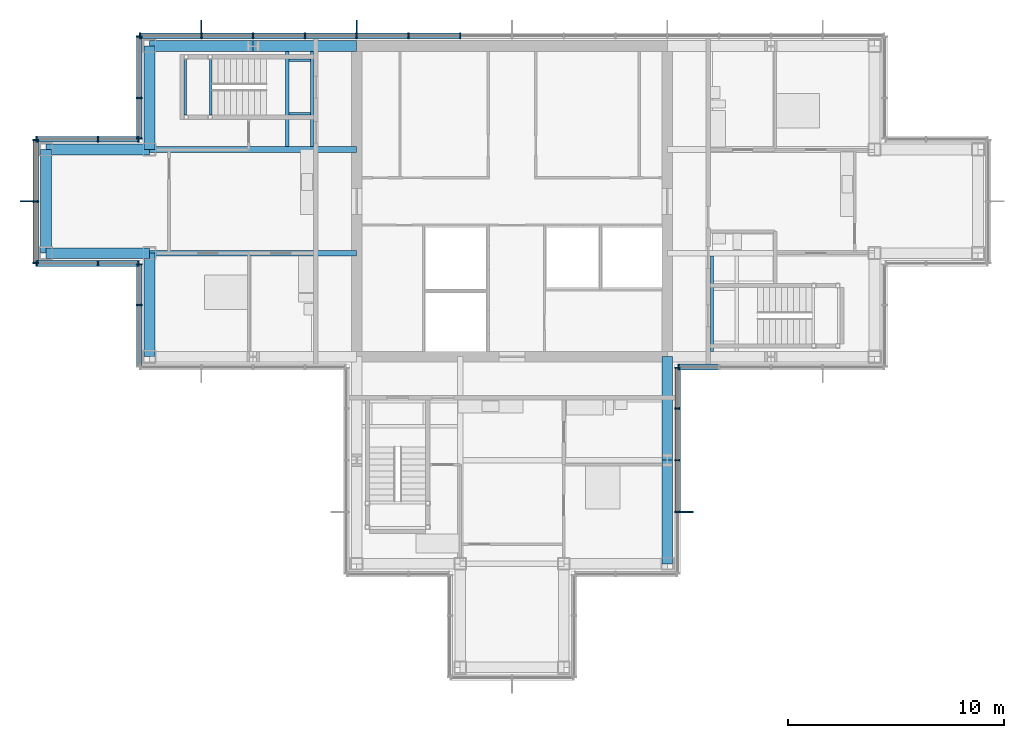
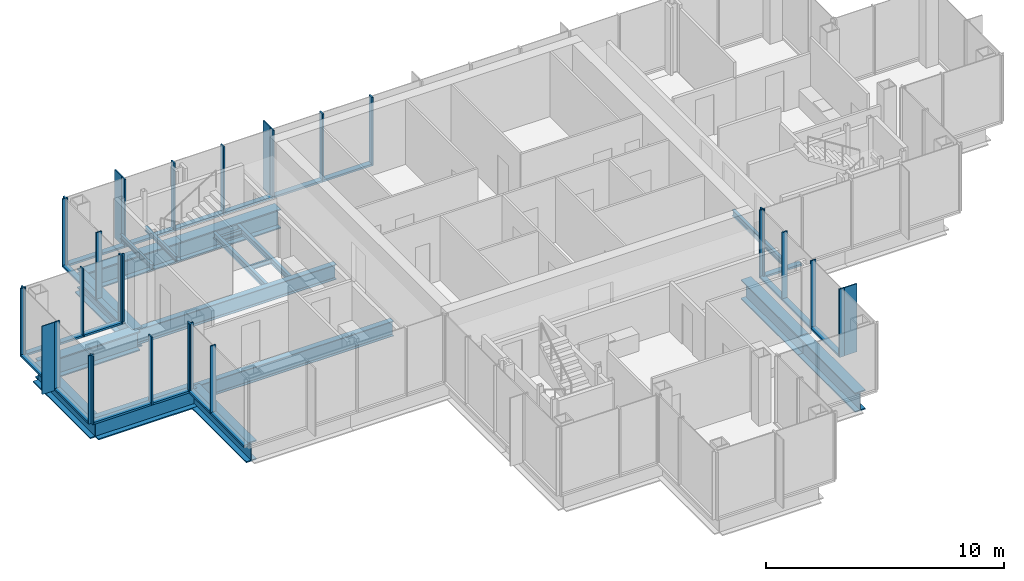
# One storey, part 6 of 15: 50 members, 18 beams, 8 elements without a shape of their own.
"""IFC4 building model written with IfcOpenShell, lengths in metres."""

from ifc_helpers import new_model, si_unit, direction, frame, origin, origin_2d, place, context, subcontext, project, spatial, rectangle, i_section, extrude, material, material_profile, profile_set, type_object, element, aggregate, save


model = new_model("IFC4")

# Units and contexts
model_context = context("Model", 3, precision=1e-05, world=origin(), true_north=direction((0.0, 1.0)))
body_context = subcontext(model_context, "Body", "Model", "MODEL_VIEW")
ifc_project = project(units=[si_unit("LENGTHUNIT", "METRE"), si_unit("AREAUNIT", "SQUARE_METRE"), si_unit("VOLUMEUNIT", "CUBIC_METRE"), si_unit("PLANEANGLEUNIT", "RADIAN"), si_unit("MASSUNIT", "GRAM", prefix="KILO")], contexts=[model_context])

# Site, building, storey
site_placement = place(None, origin())
site = spatial("IfcSite", under=ifc_project, at=site_placement, CompositionType="ELEMENT")
building_placement = place(site_placement, origin())
building = spatial("IfcBuilding", under=site, at=building_placement, Name="Kvirike Care Tower", CompositionType="ELEMENT")
storey_placement = place(building_placement, frame((0.0, 0.0, 198.0)))
storey = spatial("IfcBuildingStorey", under=building, at=storey_placement, Name="L54", CompositionType="ELEMENT", Elevation=198.0)

# Curtain wall, members
ifc_material_1 = material(Name="Anodised aluminium stick system", Category="aluminium")
curtain_wall_type = type_object("IfcCurtainWallType", Name="CW-D STICK CURTAIN WALL", PredefinedType="NOTDEFINED", material=ifc_material_1)
curtain_wall_1_placement = place(storey_placement, origin())
curtain_wall_1 = element("IfcCurtainWall", 1, at=curtain_wall_1_placement, inside=storey, type_object=curtain_wall_type, Name="Curtain wall L54 face 7", PredefinedType="NOTDEFINED")
ifc_material_2 = material(Name="Bronze anodised aluminium fin", Category="aluminium")
ifc_material_profile_1 = material_profile(ifc_material_2, rectangle(XDim=0.050048828125, YDim=0.60009765625, at=origin_2d()), Name="BRONZE FIN 600")
ifc_profile_set_1 = profile_set([ifc_material_profile_1], Name="Bronze anodised aluminium fin")
member_type_1 = type_object("IfcMemberType", Name="BRONZE FIN 600", PredefinedType="USERDEFINED", material=ifc_profile_set_1)
member_1_placement = place(storey_placement, frame((14.39990234375, 44.110107421875, 0.0), z_axis=(0.0, 0.0, 1.0), x_axis=(-1.0, 0.0, 0.0)))
member_1 = element("IfcMember", 2, at=member_1_placement, type_object=member_type_1, Name="Bronze fin L54 face 7.11", ObjectType="FIN", PredefinedType="USERDEFINED", context=body_context, shape_type="SweptSolid", body=[
    extrude(rectangle(XDim=0.050048828125, YDim=0.60009765625, at=origin_2d()), origin(), (0.0, 0.0, 1.0), 3.5),
])
member_2_placement = place(storey_placement, frame((7.199951171875, 44.110107421875, 0.0), z_axis=(0.0, 0.0, 1.0), x_axis=(-1.0, 0.0, 0.0)))
member_2 = element("IfcMember", 3, at=member_2_placement, type_object=member_type_1, Name="Bronze fin L54 face 7.14", ObjectType="FIN", PredefinedType="USERDEFINED", context=body_context, shape_type="SweptSolid", body=[
    extrude(rectangle(XDim=0.050048828125, YDim=0.60009765625, at=origin_2d()), origin(), (0.0, 0.0, 1.0), 3.5),
])

# Curtain wall, member
curtain_wall_2_placement = place(storey_placement, origin())
curtain_wall_2 = element("IfcCurtainWall", 4, at=curtain_wall_2_placement, inside=storey, type_object=curtain_wall_type, Name="Curtain wall L54 face 10", PredefinedType="NOTDEFINED")
member_3_placement = place(storey_placement, frame((-0.909912109375, 36.0, 0.0), z_axis=(0.0, 0.0, 1.0), x_axis=(0.0, -1.0, 0.0)))
member_3 = element("IfcMember", 5, at=member_3_placement, type_object=member_type_1, Name="Bronze fin L54 face 10.2", ObjectType="FIN", PredefinedType="USERDEFINED", context=body_context, shape_type="SweptSolid", body=[
    extrude(rectangle(XDim=0.050048828125, YDim=0.60009765625, at=origin_2d()), origin(), (0.0, 0.0, 1.0), 3.5),
])

curtain_wall_3_placement = place(storey_placement, origin())
curtain_wall_3 = element("IfcCurtainWall", 6, at=curtain_wall_3_placement, inside=storey, type_object=curtain_wall_type, Name="Curtain wall L54 face 20", PredefinedType="NOTDEFINED")
member_4_placement = place(storey_placement, frame((29.7099609375, 21.60009765625, 0.0), z_axis=(0.0, 0.0, 1.0), x_axis=(0.0, 1.0, 0.0)))
member_4 = element("IfcMember", 7, at=member_4_placement, type_object=member_type_1, Name="Bronze fin L54 face 20.2", ObjectType="FIN", PredefinedType="USERDEFINED", context=body_context, shape_type="SweptSolid", body=[
    extrude(rectangle(XDim=0.050048828125, YDim=0.60009765625, at=origin_2d()), origin(), (0.0, 0.0, 1.0), 3.5),
])

curtain_wall_4_placement = place(storey_placement, origin())
curtain_wall_4 = element("IfcCurtainWall", 8, at=curtain_wall_4_placement, inside=storey, type_object=curtain_wall_type, Name="Curtain wall L54 face 1", PredefinedType="NOTDEFINED")
ifc_material_3 = material(Name="Bronze anodised aluminium mullion", Category="aluminium")
ifc_material_profile_2 = material_profile(ifc_material_3, rectangle(XDim=0.06494140625, YDim=0.260009765625, at=origin_2d()), Name="CW-D MULLION 65x260")
ifc_profile_set_2 = profile_set([ifc_material_profile_2], Name="Bronze anodised aluminium mullion")
member_type_2 = type_object("IfcMemberType", Name="CW-D MULLION 65x260", PredefinedType="MULLION", material=ifc_profile_set_2)
member_5_placement = place(storey_placement, frame((29.3125, 28.320068359375, 0.0), z_axis=(0.0, 0.0, 1.0), x_axis=(1.0, 0.0, 0.0)))
member_5 = element("IfcMember", 9, at=member_5_placement, type_object=member_type_2, Name="CW-D mullion L54 face 1.1", PredefinedType="MULLION", context=body_context, shape_type="SweptSolid", body=[
    extrude(rectangle(XDim=0.06494140625, YDim=0.260009765625, at=origin_2d()), origin(), (0.0, 0.0, 1.0), 3.5),
])

# Member
member_6_placement = place(storey_placement, frame((19.199951171875, 43.679931640625, 0.0), z_axis=(0.0, 0.0, 1.0), x_axis=(-1.0, 0.0, 0.0)))
member_6 = element("IfcMember", 10, at=member_6_placement, type_object=member_type_2, Name="CW-D mullion L54 face 7.9", PredefinedType="MULLION", context=body_context, shape_type="SweptSolid", body=[
    extrude(rectangle(XDim=0.06494140625, YDim=0.260009765625, at=origin_2d()), origin(), (0.0, 0.0, 1.0), 3.5),
])

member_7_placement = place(storey_placement, frame((16.800048828125, 43.679931640625, 0.0), z_axis=(0.0, 0.0, 1.0), x_axis=(-1.0, 0.0, 0.0)))
member_7 = element("IfcMember", 11, at=member_7_placement, type_object=member_type_2, Name="CW-D mullion L54 face 7.10", PredefinedType="MULLION", context=body_context, shape_type="SweptSolid", body=[
    extrude(rectangle(XDim=0.06494140625, YDim=0.260009765625, at=origin_2d()), origin(), (0.0, 0.0, 1.0), 3.5),
])

member_8_placement = place(storey_placement, frame((14.39990234375, 43.679931640625, 0.0), z_axis=(0.0, 0.0, 1.0), x_axis=(-1.0, 0.0, 0.0)))
member_8 = element("IfcMember", 12, at=member_8_placement, type_object=member_type_2, Name="CW-D mullion L54 face 7.11", PredefinedType="MULLION", context=body_context, shape_type="SweptSolid", body=[
    extrude(rectangle(XDim=0.06494140625, YDim=0.260009765625, at=origin_2d()), origin(), (0.0, 0.0, 1.0), 3.5),
])

member_9_placement = place(storey_placement, frame((12.0, 43.679931640625, 0.0), z_axis=(0.0, 0.0, 1.0), x_axis=(-1.0, 0.0, 0.0)))
member_9 = element("IfcMember", 13, at=member_9_placement, type_object=member_type_2, Name="CW-D mullion L54 face 7.12", PredefinedType="MULLION", context=body_context, shape_type="SweptSolid", body=[
    extrude(rectangle(XDim=0.06494140625, YDim=0.260009765625, at=origin_2d()), origin(), (0.0, 0.0, 1.0), 3.5),
])

member_10_placement = place(storey_placement, frame((9.60009765625, 43.679931640625, 0.0), z_axis=(0.0, 0.0, 1.0), x_axis=(-1.0, 0.0, 0.0)))
member_10 = element("IfcMember", 14, at=member_10_placement, type_object=member_type_2, Name="CW-D mullion L54 face 7.13", PredefinedType="MULLION", context=body_context, shape_type="SweptSolid", body=[
    extrude(rectangle(XDim=0.06494140625, YDim=0.260009765625, at=origin_2d()), origin(), (0.0, 0.0, 1.0), 3.5),
])

member_11_placement = place(storey_placement, frame((7.199951171875, 43.679931640625, 0.0), z_axis=(0.0, 0.0, 1.0), x_axis=(-1.0, 0.0, 0.0)))
member_11 = element("IfcMember", 15, at=member_11_placement, type_object=member_type_2, Name="CW-D mullion L54 face 7.14", PredefinedType="MULLION", context=body_context, shape_type="SweptSolid", body=[
    extrude(rectangle(XDim=0.06494140625, YDim=0.260009765625, at=origin_2d()), origin(), (0.0, 0.0, 1.0), 3.5),
])

member_12_placement = place(storey_placement, frame((4.3525390625, 43.679931640625, 0.0), z_axis=(0.0, 0.0, 1.0), x_axis=(-1.0, 0.0, 0.0)))
member_12 = element("IfcMember", 16, at=member_12_placement, type_object=member_type_2, Name="CW-D mullion L54 face 7.15", PredefinedType="MULLION", context=body_context, shape_type="SweptSolid", body=[
    extrude(rectangle(XDim=0.06494140625, YDim=0.260009765625, at=origin_2d()), origin(), (0.0, 0.0, 1.0), 3.5),
])

# Curtain wall, members
curtain_wall_5_placement = place(storey_placement, origin())
curtain_wall_5 = element("IfcCurtainWall", 17, at=curtain_wall_5_placement, inside=storey, type_object=curtain_wall_type, Name="Curtain wall L54 face 8", PredefinedType="NOTDEFINED")
member_13_placement = place(storey_placement, frame((4.320068359375, 43.6474609375, 0.0), z_axis=(0.0, 0.0, 1.0), x_axis=(0.0, -1.0, 0.0)))
member_13 = element("IfcMember", 18, at=member_13_placement, type_object=member_type_2, Name="CW-D mullion L54 face 8.1", PredefinedType="MULLION", context=body_context, shape_type="SweptSolid", body=[
    extrude(rectangle(XDim=0.06494140625, YDim=0.260009765625, at=origin_2d()), origin(), (0.0, 0.0, 1.0), 3.5),
])
member_14_placement = place(storey_placement, frame((4.320068359375, 40.800048828125, 0.0), z_axis=(0.0, 0.0, 1.0), x_axis=(0.0, -1.0, 0.0)))
member_14 = element("IfcMember", 19, at=member_14_placement, type_object=member_type_2, Name="CW-D mullion L54 face 8.2", PredefinedType="MULLION", context=body_context, shape_type="SweptSolid", body=[
    extrude(rectangle(XDim=0.06494140625, YDim=0.260009765625, at=origin_2d()), origin(), (0.0, 0.0, 1.0), 3.5),
])
member_15_placement = place(storey_placement, frame((4.320068359375, 38.91259765625, 0.0), z_axis=(0.0, 0.0, 1.0), x_axis=(0.0, -1.0, 0.0)))
member_15 = element("IfcMember", 20, at=member_15_placement, type_object=member_type_2, Name="CW-D mullion L54 face 8.3", PredefinedType="MULLION", context=body_context, shape_type="SweptSolid", body=[
    extrude(rectangle(XDim=0.06494140625, YDim=0.260009765625, at=origin_2d()), origin(), (0.0, 0.0, 1.0), 3.5),
])

curtain_wall_6_placement = place(storey_placement, origin())
curtain_wall_6 = element("IfcCurtainWall", 21, at=curtain_wall_6_placement, inside=storey, type_object=curtain_wall_type, Name="Curtain wall L54 face 9", PredefinedType="NOTDEFINED")
member_16_placement = place(storey_placement, frame((4.28759765625, 38.8798828125, 0.0), z_axis=(0.0, 0.0, 1.0), x_axis=(-1.0, 0.0, 0.0)))
member_16 = element("IfcMember", 22, at=member_16_placement, type_object=member_type_2, Name="CW-D mullion L54 face 9.1", PredefinedType="MULLION", context=body_context, shape_type="SweptSolid", body=[
    extrude(rectangle(XDim=0.06494140625, YDim=0.260009765625, at=origin_2d()), origin(), (0.0, 0.0, 1.0), 3.5),
])
member_17_placement = place(storey_placement, frame((2.39990234375, 38.8798828125, 0.0), z_axis=(0.0, 0.0, 1.0), x_axis=(-1.0, 0.0, 0.0)))
member_17 = element("IfcMember", 23, at=member_17_placement, type_object=member_type_2, Name="CW-D mullion L54 face 9.2", PredefinedType="MULLION", context=body_context, shape_type="SweptSolid", body=[
    extrude(rectangle(XDim=0.06494140625, YDim=0.260009765625, at=origin_2d()), origin(), (0.0, 0.0, 1.0), 3.5),
])
member_18_placement = place(storey_placement, frame((-0.447509765625, 38.8798828125, 0.0), z_axis=(0.0, 0.0, 1.0), x_axis=(-1.0, 0.0, 0.0)))
member_18 = element("IfcMember", 24, at=member_18_placement, type_object=member_type_2, Name="CW-D mullion L54 face 9.3", PredefinedType="MULLION", context=body_context, shape_type="SweptSolid", body=[
    extrude(rectangle(XDim=0.06494140625, YDim=0.260009765625, at=origin_2d()), origin(), (0.0, 0.0, 1.0), 3.5),
])

# Member
member_19_placement = place(storey_placement, frame((-0.47998046875, 38.847412109375, 0.0), z_axis=(0.0, 0.0, 1.0), x_axis=(0.0, -1.0, 0.0)))
member_19 = element("IfcMember", 25, at=member_19_placement, type_object=member_type_2, Name="CW-D mullion L54 face 10.1", PredefinedType="MULLION", context=body_context, shape_type="SweptSolid", body=[
    extrude(rectangle(XDim=0.06494140625, YDim=0.260009765625, at=origin_2d()), origin(), (0.0, 0.0, 1.0), 3.5),
])

member_20_placement = place(storey_placement, frame((-0.47998046875, 36.0, 0.0), z_axis=(0.0, 0.0, 1.0), x_axis=(0.0, -1.0, 0.0)))
member_20 = element("IfcMember", 26, at=member_20_placement, type_object=member_type_2, Name="CW-D mullion L54 face 10.2", PredefinedType="MULLION", context=body_context, shape_type="SweptSolid", body=[
    extrude(rectangle(XDim=0.06494140625, YDim=0.260009765625, at=origin_2d()), origin(), (0.0, 0.0, 1.0), 3.5),
])

member_21_placement = place(storey_placement, frame((-0.47998046875, 33.152587890625, 0.0), z_axis=(0.0, 0.0, 1.0), x_axis=(0.0, -1.0, 0.0)))
member_21 = element("IfcMember", 27, at=member_21_placement, type_object=member_type_2, Name="CW-D mullion L54 face 10.3", PredefinedType="MULLION", context=body_context, shape_type="SweptSolid", body=[
    extrude(rectangle(XDim=0.06494140625, YDim=0.260009765625, at=origin_2d()), origin(), (0.0, 0.0, 1.0), 3.5),
])

# Curtain wall, members
curtain_wall_7_placement = place(storey_placement, origin())
curtain_wall_7 = element("IfcCurtainWall", 28, at=curtain_wall_7_placement, inside=storey, type_object=curtain_wall_type, Name="Curtain wall L54 face 11", PredefinedType="NOTDEFINED")
member_22_placement = place(storey_placement, frame((-0.447509765625, 33.1201171875, 0.0), z_axis=(0.0, 0.0, 1.0), x_axis=(1.0, 0.0, 0.0)))
member_22 = element("IfcMember", 29, at=member_22_placement, type_object=member_type_2, Name="CW-D mullion L54 face 11.1", PredefinedType="MULLION", context=body_context, shape_type="SweptSolid", body=[
    extrude(rectangle(XDim=0.06494140625, YDim=0.260009765625, at=origin_2d()), origin(), (0.0, 0.0, 1.0), 3.5),
])
member_23_placement = place(storey_placement, frame((2.39990234375, 33.1201171875, 0.0), z_axis=(0.0, 0.0, 1.0), x_axis=(1.0, 0.0, 0.0)))
member_23 = element("IfcMember", 30, at=member_23_placement, type_object=member_type_2, Name="CW-D mullion L54 face 11.2", PredefinedType="MULLION", context=body_context, shape_type="SweptSolid", body=[
    extrude(rectangle(XDim=0.06494140625, YDim=0.260009765625, at=origin_2d()), origin(), (0.0, 0.0, 1.0), 3.5),
])
member_24_placement = place(storey_placement, frame((4.28759765625, 33.1201171875, 0.0), z_axis=(0.0, 0.0, 1.0), x_axis=(1.0, 0.0, 0.0)))
member_24 = element("IfcMember", 31, at=member_24_placement, type_object=member_type_2, Name="CW-D mullion L54 face 11.3", PredefinedType="MULLION", context=body_context, shape_type="SweptSolid", body=[
    extrude(rectangle(XDim=0.06494140625, YDim=0.260009765625, at=origin_2d()), origin(), (0.0, 0.0, 1.0), 3.5),
])

curtain_wall_8_placement = place(storey_placement, origin())
curtain_wall_8 = element("IfcCurtainWall", 32, at=curtain_wall_8_placement, inside=storey, type_object=curtain_wall_type, Name="Curtain wall L54 face 12", PredefinedType="NOTDEFINED")
member_25_placement = place(storey_placement, frame((4.320068359375, 33.08740234375, 0.0), z_axis=(0.0, 0.0, 1.0), x_axis=(0.0, -1.0, 0.0)))
member_25 = element("IfcMember", 33, at=member_25_placement, type_object=member_type_2, Name="CW-D mullion L54 face 12.1", PredefinedType="MULLION", context=body_context, shape_type="SweptSolid", body=[
    extrude(rectangle(XDim=0.06494140625, YDim=0.260009765625, at=origin_2d()), origin(), (0.0, 0.0, 1.0), 3.5),
])
member_26_placement = place(storey_placement, frame((4.320068359375, 31.199951171875, 0.0), z_axis=(0.0, 0.0, 1.0), x_axis=(0.0, -1.0, 0.0)))
member_26 = element("IfcMember", 34, at=member_26_placement, type_object=member_type_2, Name="CW-D mullion L54 face 12.2", PredefinedType="MULLION", context=body_context, shape_type="SweptSolid", body=[
    extrude(rectangle(XDim=0.06494140625, YDim=0.260009765625, at=origin_2d()), origin(), (0.0, 0.0, 1.0), 3.5),
])

# Member
member_27_placement = place(storey_placement, frame((29.280029296875, 21.60009765625, 0.0), z_axis=(0.0, 0.0, 1.0), x_axis=(0.0, 1.0, 0.0)))
member_27 = element("IfcMember", 35, at=member_27_placement, type_object=member_type_2, Name="CW-D mullion L54 face 20.2", PredefinedType="MULLION", context=body_context, shape_type="SweptSolid", body=[
    extrude(rectangle(XDim=0.06494140625, YDim=0.260009765625, at=origin_2d()), origin(), (0.0, 0.0, 1.0), 3.5),
])

member_28_placement = place(storey_placement, frame((29.280029296875, 24.0, 0.0), z_axis=(0.0, 0.0, 1.0), x_axis=(0.0, 1.0, 0.0)))
member_28 = element("IfcMember", 36, at=member_28_placement, type_object=member_type_2, Name="CW-D mullion L54 face 20.3", PredefinedType="MULLION", context=body_context, shape_type="SweptSolid", body=[
    extrude(rectangle(XDim=0.06494140625, YDim=0.260009765625, at=origin_2d()), origin(), (0.0, 0.0, 1.0), 3.5),
])

member_29_placement = place(storey_placement, frame((29.280029296875, 26.39990234375, 0.0), z_axis=(0.0, 0.0, 1.0), x_axis=(0.0, 1.0, 0.0)))
member_29 = element("IfcMember", 37, at=member_29_placement, type_object=member_type_2, Name="CW-D mullion L54 face 20.4", PredefinedType="MULLION", context=body_context, shape_type="SweptSolid", body=[
    extrude(rectangle(XDim=0.06494140625, YDim=0.260009765625, at=origin_2d()), origin(), (0.0, 0.0, 1.0), 3.5),
])

member_30_placement = place(storey_placement, frame((29.280029296875, 28.28759765625, 0.0), z_axis=(0.0, 0.0, 1.0), x_axis=(0.0, 1.0, 0.0)))
member_30 = element("IfcMember", 38, at=member_30_placement, type_object=member_type_2, Name="CW-D mullion L54 face 20.5", PredefinedType="MULLION", context=body_context, shape_type="SweptSolid", body=[
    extrude(rectangle(XDim=0.06494140625, YDim=0.260009765625, at=origin_2d()), origin(), (0.0, 0.0, 1.0), 3.5),
])

ifc_material_4 = material(Name="Bronze anodised aluminium transom", Category="aluminium")
ifc_material_profile_3 = material_profile(ifc_material_4, rectangle(XDim=0.260009765625, YDim=0.10009765625, at=origin_2d()), Name="CW-D TRANSOM 260x100")
ifc_profile_set_3 = profile_set([ifc_material_profile_3], Name="Bronze anodised aluminium transom")
member_type_3 = type_object("IfcMemberType", Name="CW-D TRANSOM 260x100", PredefinedType="USERDEFINED", material=ifc_profile_set_3)
member_31_placement = place(storey_placement, frame((29.344970703125, 28.320068359375, 0.050048828125), z_axis=(1.0, 0.0, 0.0), x_axis=(0.0, 1.0, 0.0)))
member_31 = element("IfcMember", 39, at=member_31_placement, type_object=member_type_3, Name="CW-D sill transom L54 face 1.1", ObjectType="TRANSOM", PredefinedType="USERDEFINED", context=body_context, shape_type="SweptSolid", body=[
    extrude(rectangle(XDim=0.260009765625, YDim=0.10009765625, at=origin_2d()), origin(), (0.0, 0.0, 1.0), 1.822509765625),
])

aggregate(curtain_wall_4, [member_5, member_31])

member_32_placement = place(storey_placement, frame((19.16748046875, 43.679931640625, 0.050048828125), z_axis=(-1.0, 0.0, 0.0), x_axis=(0.0, -1.0, 0.0)))
member_32 = element("IfcMember", 40, at=member_32_placement, type_object=member_type_3, Name="CW-D sill transom L54 face 7.9", ObjectType="TRANSOM", PredefinedType="USERDEFINED", context=body_context, shape_type="SweptSolid", body=[
    extrude(rectangle(XDim=0.260009765625, YDim=0.10009765625, at=origin_2d()), origin(), (0.0, 0.0, 1.0), 2.3349609375),
])

member_33_placement = place(storey_placement, frame((16.767578125, 43.679931640625, 0.050048828125), z_axis=(-1.0, 0.0, 0.0), x_axis=(0.0, -1.0, 0.0)))
member_33 = element("IfcMember", 41, at=member_33_placement, type_object=member_type_3, Name="CW-D sill transom L54 face 7.10", ObjectType="TRANSOM", PredefinedType="USERDEFINED", context=body_context, shape_type="SweptSolid", body=[
    extrude(rectangle(XDim=0.260009765625, YDim=0.10009765625, at=origin_2d()), origin(), (0.0, 0.0, 1.0), 2.3349609375),
])

member_34_placement = place(storey_placement, frame((14.367431640625, 43.679931640625, 0.050048828125), z_axis=(-1.0, 0.0, 0.0), x_axis=(0.0, -1.0, 0.0)))
member_34 = element("IfcMember", 42, at=member_34_placement, type_object=member_type_3, Name="CW-D sill transom L54 face 7.11", ObjectType="TRANSOM", PredefinedType="USERDEFINED", context=body_context, shape_type="SweptSolid", body=[
    extrude(rectangle(XDim=0.260009765625, YDim=0.10009765625, at=origin_2d()), origin(), (0.0, 0.0, 1.0), 2.3349609375),
])

member_35_placement = place(storey_placement, frame((11.967529296875, 43.679931640625, 0.050048828125), z_axis=(-1.0, 0.0, 0.0), x_axis=(0.0, -1.0, 0.0)))
member_35 = element("IfcMember", 43, at=member_35_placement, type_object=member_type_3, Name="CW-D sill transom L54 face 7.12", ObjectType="TRANSOM", PredefinedType="USERDEFINED", context=body_context, shape_type="SweptSolid", body=[
    extrude(rectangle(XDim=0.260009765625, YDim=0.10009765625, at=origin_2d()), origin(), (0.0, 0.0, 1.0), 2.3349609375),
])

member_36_placement = place(storey_placement, frame((9.5673828125, 43.679931640625, 0.050048828125), z_axis=(-1.0, 0.0, 0.0), x_axis=(0.0, -1.0, 0.0)))
member_36 = element("IfcMember", 44, at=member_36_placement, type_object=member_type_3, Name="CW-D sill transom L54 face 7.13", ObjectType="TRANSOM", PredefinedType="USERDEFINED", context=body_context, shape_type="SweptSolid", body=[
    extrude(rectangle(XDim=0.260009765625, YDim=0.10009765625, at=origin_2d()), origin(), (0.0, 0.0, 1.0), 2.3349609375),
])

member_37_placement = place(storey_placement, frame((7.16748046875, 43.679931640625, 0.050048828125), z_axis=(-1.0, 0.0, 0.0), x_axis=(0.0, -1.0, 0.0)))
member_37 = element("IfcMember", 45, at=member_37_placement, type_object=member_type_3, Name="CW-D sill transom L54 face 7.14", ObjectType="TRANSOM", PredefinedType="USERDEFINED", context=body_context, shape_type="SweptSolid", body=[
    extrude(rectangle(XDim=0.260009765625, YDim=0.10009765625, at=origin_2d()), origin(), (0.0, 0.0, 1.0), 2.782470703125),
])

aggregate(curtain_wall_1, [member_6, member_7, member_8, member_1, member_9, member_10, member_11, member_2, member_12, member_32, member_33, member_34, member_35, member_36, member_37])

member_38_placement = place(storey_placement, frame((4.320068359375, 43.614990234375, 0.050048828125), z_axis=(0.0, -1.0, 0.0), x_axis=(1.0, 0.0, 0.0)))
member_38 = element("IfcMember", 46, at=member_38_placement, type_object=member_type_3, Name="CW-D sill transom L54 face 8.1", ObjectType="TRANSOM", PredefinedType="USERDEFINED", context=body_context, shape_type="SweptSolid", body=[
    extrude(rectangle(XDim=0.260009765625, YDim=0.10009765625, at=origin_2d()), origin(), (0.0, 0.0, 1.0), 2.782470703125),
])

member_39_placement = place(storey_placement, frame((4.320068359375, 40.767578125, 0.050048828125), z_axis=(0.0, -1.0, 0.0), x_axis=(1.0, 0.0, 0.0)))
member_39 = element("IfcMember", 47, at=member_39_placement, type_object=member_type_3, Name="CW-D sill transom L54 face 8.2", ObjectType="TRANSOM", PredefinedType="USERDEFINED", context=body_context, shape_type="SweptSolid", body=[
    extrude(rectangle(XDim=0.260009765625, YDim=0.10009765625, at=origin_2d()), origin(), (0.0, 0.0, 1.0), 1.822509765625),
])

aggregate(curtain_wall_5, [member_13, member_14, member_15, member_38, member_39])

member_40_placement = place(storey_placement, frame((4.2548828125, 38.8798828125, 0.050048828125), z_axis=(-1.0, 0.0, 0.0), x_axis=(0.0, -1.0, 0.0)))
member_40 = element("IfcMember", 48, at=member_40_placement, type_object=member_type_3, Name="CW-D sill transom L54 face 9.1", ObjectType="TRANSOM", PredefinedType="USERDEFINED", context=body_context, shape_type="SweptSolid", body=[
    extrude(rectangle(XDim=0.260009765625, YDim=0.10009765625, at=origin_2d()), origin(), (0.0, 0.0, 1.0), 1.822265625),
])

member_41_placement = place(storey_placement, frame((2.367431640625, 38.8798828125, 0.050048828125), z_axis=(-1.0, 0.0, 0.0), x_axis=(0.0, -1.0, 0.0)))
member_41 = element("IfcMember", 49, at=member_41_placement, type_object=member_type_3, Name="CW-D sill transom L54 face 9.2", ObjectType="TRANSOM", PredefinedType="USERDEFINED", context=body_context, shape_type="SweptSolid", body=[
    extrude(rectangle(XDim=0.260009765625, YDim=0.10009765625, at=origin_2d()), origin(), (0.0, 0.0, 1.0), 2.782470703125),
])

aggregate(curtain_wall_6, [member_16, member_17, member_18, member_40, member_41])

member_42_placement = place(storey_placement, frame((-0.47998046875, 38.81494140625, 0.050048828125), z_axis=(0.0, -1.0, 0.0), x_axis=(1.0, 0.0, 0.0)))
member_42 = element("IfcMember", 50, at=member_42_placement, type_object=member_type_3, Name="CW-D sill transom L54 face 10.1", ObjectType="TRANSOM", PredefinedType="USERDEFINED", context=body_context, shape_type="SweptSolid", body=[
    extrude(rectangle(XDim=0.260009765625, YDim=0.10009765625, at=origin_2d()), origin(), (0.0, 0.0, 1.0), 2.782470703125),
])

member_43_placement = place(storey_placement, frame((-0.47998046875, 35.967529296875, 0.050048828125), z_axis=(0.0, -1.0, 0.0), x_axis=(1.0, 0.0, 0.0)))
member_43 = element("IfcMember", 51, at=member_43_placement, type_object=member_type_3, Name="CW-D sill transom L54 face 10.2", ObjectType="TRANSOM", PredefinedType="USERDEFINED", context=body_context, shape_type="SweptSolid", body=[
    extrude(rectangle(XDim=0.260009765625, YDim=0.10009765625, at=origin_2d()), origin(), (0.0, 0.0, 1.0), 2.782470703125),
])

aggregate(curtain_wall_2, [member_19, member_20, member_3, member_21, member_42, member_43])

member_44_placement = place(storey_placement, frame((-0.4150390625, 33.1201171875, 0.050048828125), z_axis=(1.0, 0.0, 0.0), x_axis=(0.0, 1.0, 0.0)))
member_44 = element("IfcMember", 52, at=member_44_placement, type_object=member_type_3, Name="CW-D sill transom L54 face 11.1", ObjectType="TRANSOM", PredefinedType="USERDEFINED", context=body_context, shape_type="SweptSolid", body=[
    extrude(rectangle(XDim=0.260009765625, YDim=0.10009765625, at=origin_2d()), origin(), (0.0, 0.0, 1.0), 2.782470703125),
])

member_45_placement = place(storey_placement, frame((2.4326171875, 33.1201171875, 0.050048828125), z_axis=(1.0, 0.0, 0.0), x_axis=(0.0, 1.0, 0.0)))
member_45 = element("IfcMember", 53, at=member_45_placement, type_object=member_type_3, Name="CW-D sill transom L54 face 11.2", ObjectType="TRANSOM", PredefinedType="USERDEFINED", context=body_context, shape_type="SweptSolid", body=[
    extrude(rectangle(XDim=0.260009765625, YDim=0.10009765625, at=origin_2d()), origin(), (0.0, 0.0, 1.0), 1.822265625),
])

aggregate(curtain_wall_7, [member_22, member_23, member_24, member_44, member_45])

member_46_placement = place(storey_placement, frame((4.320068359375, 33.054931640625, 0.050048828125), z_axis=(0.0, -1.0, 0.0), x_axis=(1.0, 0.0, 0.0)))
member_46 = element("IfcMember", 54, at=member_46_placement, type_object=member_type_3, Name="CW-D sill transom L54 face 12.1", ObjectType="TRANSOM", PredefinedType="USERDEFINED", context=body_context, shape_type="SweptSolid", body=[
    extrude(rectangle(XDim=0.260009765625, YDim=0.10009765625, at=origin_2d()), origin(), (0.0, 0.0, 1.0), 1.822509765625),
])

member_47_placement = place(storey_placement, frame((4.320068359375, 31.16748046875, 0.050048828125), z_axis=(0.0, -1.0, 0.0), x_axis=(1.0, 0.0, 0.0)))
member_47 = element("IfcMember", 55, at=member_47_placement, type_object=member_type_3, Name="CW-D sill transom L54 face 12.2", ObjectType="TRANSOM", PredefinedType="USERDEFINED", context=body_context, shape_type="SweptSolid", body=[
    extrude(rectangle(XDim=0.260009765625, YDim=0.10009765625, at=origin_2d()), origin(), (0.0, 0.0, 1.0), 2.782470703125),
])

aggregate(curtain_wall_8, [member_25, member_26, member_46, member_47])

member_48_placement = place(storey_placement, frame((29.280029296875, 21.632568359375, 0.050048828125), z_axis=(0.0, 1.0, 0.0), x_axis=(-1.0, 0.0, 0.0)))
member_48 = element("IfcMember", 56, at=member_48_placement, type_object=member_type_3, Name="CW-D sill transom L54 face 20.2", ObjectType="TRANSOM", PredefinedType="USERDEFINED", context=body_context, shape_type="SweptSolid", body=[
    extrude(rectangle(XDim=0.260009765625, YDim=0.10009765625, at=origin_2d()), origin(), (0.0, 0.0, 1.0), 2.3349609375),
])

member_49_placement = place(storey_placement, frame((29.280029296875, 24.032470703125, 0.050048828125), z_axis=(0.0, 1.0, 0.0), x_axis=(-1.0, 0.0, 0.0)))
member_49 = element("IfcMember", 57, at=member_49_placement, type_object=member_type_3, Name="CW-D sill transom L54 face 20.3", ObjectType="TRANSOM", PredefinedType="USERDEFINED", context=body_context, shape_type="SweptSolid", body=[
    extrude(rectangle(XDim=0.260009765625, YDim=0.10009765625, at=origin_2d()), origin(), (0.0, 0.0, 1.0), 2.3349609375),
])

member_50_placement = place(storey_placement, frame((29.280029296875, 26.4326171875, 0.050048828125), z_axis=(0.0, 1.0, 0.0), x_axis=(-1.0, 0.0, 0.0)))
member_50 = element("IfcMember", 58, at=member_50_placement, type_object=member_type_3, Name="CW-D sill transom L54 face 20.4", ObjectType="TRANSOM", PredefinedType="USERDEFINED", context=body_context, shape_type="SweptSolid", body=[
    extrude(rectangle(XDim=0.260009765625, YDim=0.10009765625, at=origin_2d()), origin(), (0.0, 0.0, 1.0), 1.822265625),
])

aggregate(curtain_wall_3, [member_27, member_4, member_28, member_29, member_30, member_48, member_49, member_50])

# Beams
ifc_material_5 = material(Name="Steel S355", Category="steel")
ifc_material_profile_4 = material_profile(ifc_material_5, i_section(OverallWidth=0.26806640625, OverallDepth=0.77001953125, WebThickness=0.015625, FlangeThickness=0.025390625, FilletRadius=0.01708984375, at=origin_2d()), Name="IPE 750x196")
ifc_profile_set_4 = profile_set([ifc_material_profile_4], Name="Steel S355")
beam_type_1 = type_object("IfcBeamType", Name="FLOOR BEAM IPE 750x196", PredefinedType="BEAM", material=ifc_profile_set_4)
for number, where, z_axis, x_axis, name in (
    (59, (4.800048828125, 33.60009765625, -0.554931640625), (1.0, 0.0, 0.0), (0.0, 1.0, 0.0), "Floor Beam H4-H6 L54"),
    (60, (4.800048828125, 38.39990234375, -0.554931640625), (1.0, 0.0, 0.0), (0.0, 1.0, 0.0), "Floor Beam J4-J6 L54"),
):
    element("IfcBeam", number, at=place(storey_placement, frame(where, z_axis=z_axis, x_axis=x_axis)), inside=storey, type_object=beam_type_1, Name=name, PredefinedType="BEAM", context=body_context, shape_type="SweptSolid", body=[
        extrude(i_section(OverallWidth=0.26806640625, OverallDepth=0.77001953125, WebThickness=0.015625, FlangeThickness=0.025390625, FilletRadius=0.01708984375, at=origin_2d()), origin(), (0.0, 0.0, 1.0), 9.599853515625),
    ])
ifc_material_6 = material(Name="Steel S355", Category="steel")
ifc_material_profile_5 = material_profile(ifc_material_6, i_section(OverallWidth=0.5, OverallDepth=1.0, WebThickness=0.030029296875, FlangeThickness=0.06005859375, at=origin_2d()), Name="PG 1000x500x30x60")
ifc_profile_set_5 = profile_set([ifc_material_profile_5], Name="Steel S355")
beam_type_2 = type_object("IfcBeamType", Name="SPANDREL PG 1000x500x30x60", PredefinedType="SPANDREL", material=ifc_profile_set_5)
for number, where, z_axis, x_axis, name in (
    (61, (0.0, 33.60009765625, -0.669921875), (1.0, 0.0, 0.0), (0.0, 1.0, 0.0), "Spandrel H3-H4 L54"),
    (62, (0.0, 38.39990234375, -0.669921875), (1.0, 0.0, 0.0), (0.0, 1.0, 0.0), "Spandrel J3-J4 L54"),
    (63, (4.800048828125, 43.199951171875, -0.669921875), (1.0, 0.0, 0.0), (0.0, 1.0, 0.0), "Spandrel K4-K5 L54"),
):
    element("IfcBeam", number, at=place(storey_placement, frame(where, z_axis=z_axis, x_axis=x_axis)), inside=storey, type_object=beam_type_2, Name=name, PredefinedType="SPANDREL", context=body_context, shape_type="SweptSolid", body=[
        extrude(i_section(OverallWidth=0.5, OverallDepth=1.0, WebThickness=0.030029296875, FlangeThickness=0.06005859375, at=origin_2d()), origin(), (0.0, 0.0, 1.0), 4.800048828125),
    ])
for number, where, z_axis, x_axis, name in (
    (64, (9.60009765625, 43.199951171875, -0.669921875), (1.0, 0.0, 0.0), (0.0, 1.0, 0.0), "Spandrel K5-K6 L54"),
    (65, (0.0, 33.60009765625, -0.669921875), (0.0, 1.0, 0.0), (-1.0, 0.0, 0.0), "Spandrel H3-J3 L54"),
):
    element("IfcBeam", number, at=place(storey_placement, frame(where, z_axis=z_axis, x_axis=x_axis)), inside=storey, type_object=beam_type_2, Name=name, PredefinedType="SPANDREL", context=body_context, shape_type="SweptSolid", body=[
        extrude(i_section(OverallWidth=0.5, OverallDepth=1.0, WebThickness=0.030029296875, FlangeThickness=0.06005859375, at=origin_2d()), origin(), (0.0, 0.0, 1.0), 4.7998046875),
    ])
for number, where, z_axis, x_axis, name in (
    (66, (4.800048828125, 28.800048828125, -0.669921875), (0.0, 1.0, 0.0), (-1.0, 0.0, 0.0), "Spandrel G4-H4 L54"),
    (67, (4.800048828125, 38.39990234375, -0.669921875), (0.0, 1.0, 0.0), (-1.0, 0.0, 0.0), "Spandrel J4-K4 L54"),
    (68, (28.800048828125, 19.199951171875, -0.669921875), (0.0, 1.0, 0.0), (-1.0, 0.0, 0.0), "Spandrel E9-F9 L54"),
    (69, (28.800048828125, 24.0, -0.669921875), (0.0, 1.0, 0.0), (-1.0, 0.0, 0.0), "Spandrel F9-G9 L54"),
):
    element("IfcBeam", number, at=place(storey_placement, frame(where, z_axis=z_axis, x_axis=x_axis)), inside=storey, type_object=beam_type_2, Name=name, PredefinedType="SPANDREL", context=body_context, shape_type="SweptSolid", body=[
        extrude(i_section(OverallWidth=0.5, OverallDepth=1.0, WebThickness=0.030029296875, FlangeThickness=0.06005859375, at=origin_2d()), origin(), (0.0, 0.0, 1.0), 4.800048828125),
    ])
ifc_material_7 = material(Name="Steel S355", Category="steel")
ifc_material_profile_6 = material_profile(ifc_material_7, i_section(OverallWidth=0.1201171875, OverallDepth=0.239990234375, WebThickness=0.006103515625, FlangeThickness=0.009765625, FilletRadius=0.014892578125, at=origin_2d()), Name="IPE 240")
ifc_profile_set_6 = profile_set([ifc_material_profile_6], Name="Steel S355")
beam_type_3 = type_object("IfcBeamType", Name="STAIR LANDING BEAM IPE 240", PredefinedType="BEAM", material=ifc_profile_set_6)
for number, where, z_axis, x_axis, name in (
    (70, (6.4599609375, 42.60009765625, 1.429931640625), (0.0, -1.0, 0.0), (1.0, 0.0, 0.0), "Stair 1 landing beam back L54"),
    (71, (7.639892578125, 42.60009765625, 1.429931640625), (0.0, -1.0, 0.0), (1.0, 0.0, 0.0), "Stair 1 landing beam front L54"),
):
    element("IfcBeam", number, at=place(storey_placement, frame(where, z_axis=z_axis, x_axis=x_axis)), inside=storey, type_object=beam_type_3, Name=name, PredefinedType="BEAM", context=body_context, shape_type="SweptSolid", body=[
        extrude(i_section(OverallWidth=0.1201171875, OverallDepth=0.239990234375, WebThickness=0.006103515625, FlangeThickness=0.009765625, FilletRadius=0.014892578125, at=origin_2d()), origin(), (0.0, 0.0, 1.0), 2.60009765625),
    ])
for number, where, z_axis, x_axis, name in (
    (72, (11.25, 42.5400390625, -0.320068359375), (1.0, 0.0, 0.0), (0.0, 1.0, 0.0), "Stair 1 landing edge beam 1 L54"),
    (73, (11.25, 40.06005859375, -0.320068359375), (1.0, 0.0, 0.0), (0.0, 1.0, 0.0), "Stair 1 landing edge beam 2 L54"),
):
    element("IfcBeam", number, at=place(storey_placement, frame(where, z_axis=z_axis, x_axis=x_axis)), inside=storey, type_object=beam_type_3, Name=name, PredefinedType="BEAM", context=body_context, shape_type="SweptSolid", body=[
        extrude(i_section(OverallWidth=0.1201171875, OverallDepth=0.239990234375, WebThickness=0.006103515625, FlangeThickness=0.009765625, FilletRadius=0.014892578125, at=origin_2d()), origin(), (0.0, 0.0, 1.0), 1.0),
    ])
ifc_material_8 = material(Name="Steel S355", Category="steel")
ifc_material_profile_7 = material_profile(ifc_material_8, i_section(OverallWidth=0.14990234375, OverallDepth=0.300048828125, WebThickness=0.007080078125, FlangeThickness=0.0107421875, FilletRadius=0.014892578125, at=origin_2d()), Name="IPE 300")
ifc_profile_set_7 = profile_set([ifc_material_profile_7], Name="Steel S355")
beam_type_4 = type_object("IfcBeamType", Name="STAIR TRIMMER IPE 300", PredefinedType="BEAM", material=ifc_profile_set_7)
for number, where, z_axis, x_axis, name in (
    (74, (11.175048828125, 42.949951171875, -0.35009765625), (0.0, -1.0, 0.0), (1.0, 0.0, 0.0), "Stair 1 trimmer 1 L54"),
    (75, (12.324951171875, 42.949951171875, -0.35009765625), (0.0, -1.0, 0.0), (1.0, 0.0, 0.0), "Stair 1 trimmer 2 L54"),
    (76, (30.875, 29.050048828125, -0.35009765625), (0.0, 1.0, 0.0), (-1.0, 0.0, 0.0), "Stair 2 trimmer 2 L54"),
):
    element("IfcBeam", number, at=place(storey_placement, frame(where, z_axis=z_axis, x_axis=x_axis)), inside=storey, type_object=beam_type_4, Name=name, PredefinedType="BEAM", context=body_context, shape_type="SweptSolid", body=[
        extrude(i_section(OverallWidth=0.14990234375, OverallDepth=0.300048828125, WebThickness=0.007080078125, FlangeThickness=0.0107421875, FilletRadius=0.014892578125, at=origin_2d()), origin(), (0.0, 0.0, 1.0), 4.416015625),
    ])

save(model, "model.ifc")
